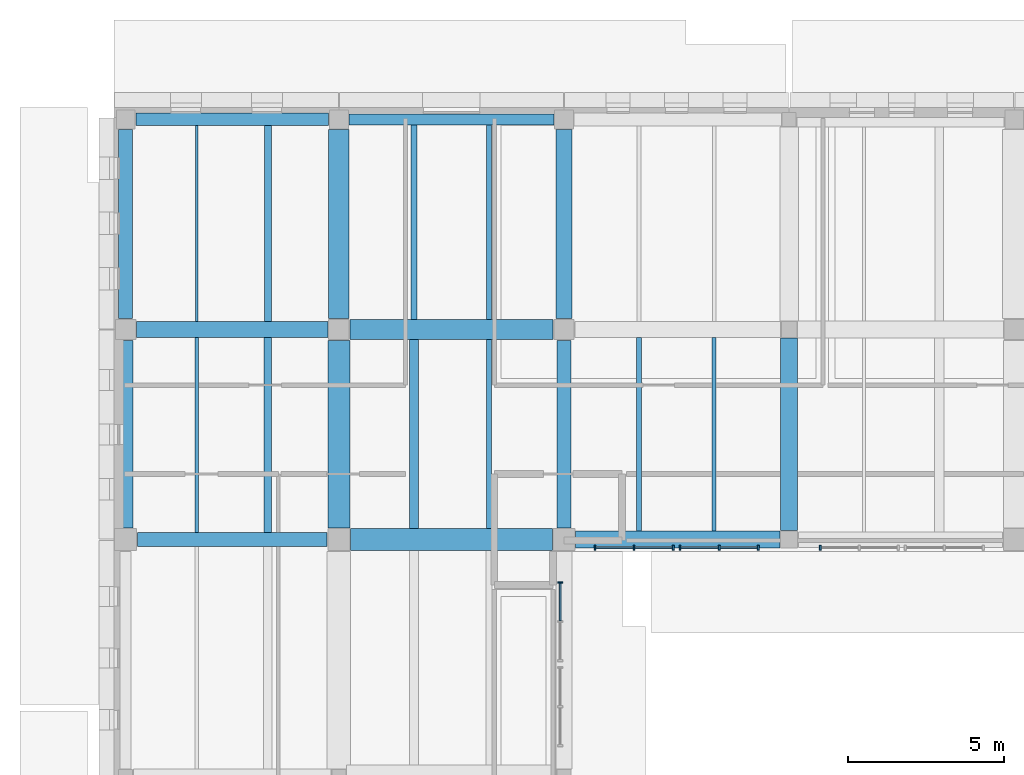
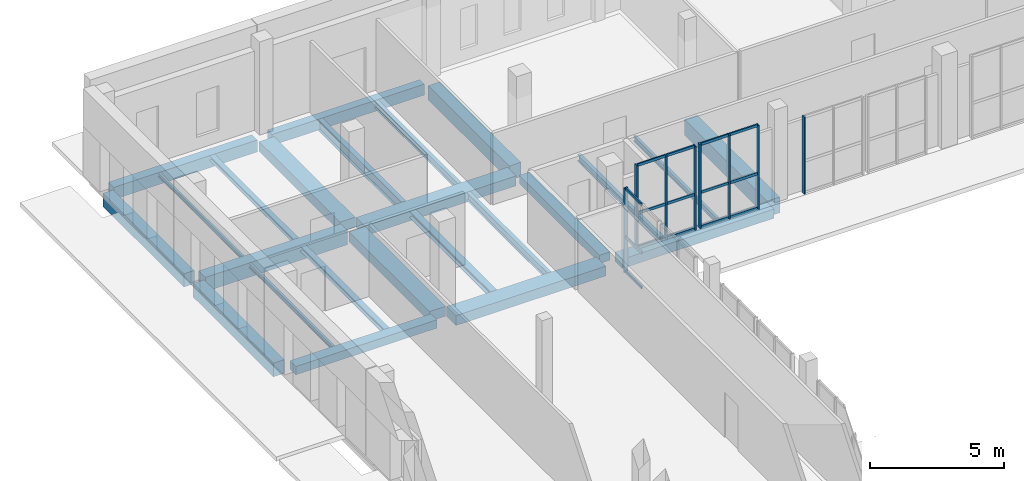
# One storey, part 23 of 77: 24 beams, 23 members, 4 elements without a shape of their own.
"""IFC4 building model written with IfcOpenShell, lengths in metres."""

from ifc_helpers import new_model, si_unit, direction, frame, origin, origin_2d, place, context, subcontext, project, spatial, rectangle, i_section, extrude, material, layer, layer_set, material_profile, profile_set, type_object, element, aggregate, save


model = new_model("IFC4")

# Units and contexts
model_context = context("Model", 3, precision=1e-05, world=origin(), true_north=direction((0.0, 1.0)))
body_context = subcontext(model_context, "Body", "Model", "MODEL_VIEW")
ifc_project = project(units=[si_unit("LENGTHUNIT", "METRE"), si_unit("AREAUNIT", "SQUARE_METRE"), si_unit("VOLUMEUNIT", "CUBIC_METRE"), si_unit("PLANEANGLEUNIT", "RADIAN"), si_unit("MASSUNIT", "GRAM", prefix="KILO")], contexts=[model_context])

# Site, building, storey
site_placement = place(None, origin())
site = spatial("IfcSite", under=ifc_project, at=site_placement, CompositionType="ELEMENT")
building_placement = place(site_placement, origin())
building = spatial("IfcBuilding", under=site, at=building_placement, Name="Vardoun Plaza Health Centre", CompositionType="ELEMENT")
storey_placement = place(building_placement, origin())
storey = spatial("IfcBuildingStorey", under=building, at=storey_placement, Name="L00", CompositionType="ELEMENT", Elevation=0.0)

# Beams
ifc_material_1 = material(Name="Concrete C35/45", Category="concrete")
ifc_material_profile_1 = material_profile(ifc_material_1, rectangle(XDim=0.35009765625, YDim=0.5, at=origin_2d()), Name="RC-BM 350x500")
ifc_profile_set_1 = profile_set([ifc_material_profile_1], Name="Concrete C35/45")
beam_type_1 = type_object("IfcBeamType", Name="B-08", PredefinedType="SPANDREL", material=ifc_profile_set_1)
beam_1_placement = place(storey_placement, frame((12.02490234375, 114.919921875, -0.514892578125), z_axis=(1.0, 0.0, 0.0), x_axis=(0.0, 1.0, 0.0)))
element("IfcBeam", 1, at=beam_1_placement, inside=storey, type_object=beam_type_1, Name="V3 L00 Beam B-V3-L00-X12", PredefinedType="SPANDREL", context=body_context, shape_type="SweptSolid", body=[
    extrude(rectangle(XDim=0.35009765625, YDim=0.5, at=origin_2d()), origin(), (0.0, 0.0, 1.0), 6.550048828125),
])
ifc_material_2 = material(Name="Concrete C35/45", Category="concrete")
ifc_material_profile_2 = material_profile(ifc_material_2, rectangle(XDim=0.39990234375, YDim=0.550048828125, at=origin_2d()), Name="RC-BM 400x550")
ifc_profile_set_2 = profile_set([ifc_material_profile_2], Name="Concrete C35/45")
beam_type_2 = type_object("IfcBeamType", Name="B-09", PredefinedType="SPANDREL", material=ifc_profile_set_2)
beam_2_placement = place(storey_placement, frame((5.205078125, 114.919921875, -0.5400390625), z_axis=(1.0, 0.0, 0.0), x_axis=(0.0, 1.0, 0.0)))
element("IfcBeam", 2, at=beam_2_placement, inside=storey, type_object=beam_type_2, Name="V3 L00 Beam B-V3-L00-X06", PredefinedType="SPANDREL", context=body_context, shape_type="SweptSolid", body=[
    extrude(rectangle(XDim=0.39990234375, YDim=0.550048828125, at=origin_2d()), origin(), (0.0, 0.0, 1.0), 6.169921875),
])
ifc_material_3 = material(Name="Concrete C35/45", Category="concrete")
ifc_material_profile_3 = material_profile(ifc_material_3, rectangle(XDim=0.449951171875, YDim=0.3798828125, at=origin_2d()), Name="RC-BM 450x380")
ifc_profile_set_3 = profile_set([ifc_material_profile_3], Name="Concrete C35/45")
beam_type_3 = type_object("IfcBeamType", Name="B-01", PredefinedType="BEAM", material=ifc_profile_set_3)
beam_3_placement = place(storey_placement, frame((5.2548828125, 101.47998046875, -0.455078125), z_axis=(1.0, 0.0, 0.0), x_axis=(0.0, 1.0, 0.0)))
element("IfcBeam", 3, at=beam_3_placement, inside=storey, type_object=beam_type_3, Name="V3 L00 Beam B-V3-L00-X04", PredefinedType="BEAM", context=body_context, shape_type="SweptSolid", body=[
    extrude(rectangle(XDim=0.449951171875, YDim=0.3798828125, at=origin_2d()), origin(), (0.0, 0.0, 1.0), 6.070068359375),
])
beam_4_placement = place(storey_placement, frame((18.89990234375, 101.85498046875, -0.455078125), z_axis=(0.0, 1.0, 0.0), x_axis=(-1.0, 0.0, 0.0)))
element("IfcBeam", 4, at=beam_4_placement, inside=storey, type_object=beam_type_3, Name="V3 L00 Beam B-V3-L00-Y37", PredefinedType="BEAM", context=body_context, shape_type="SweptSolid", body=[
    extrude(rectangle(XDim=0.449951171875, YDim=0.3798828125, at=origin_2d()), origin(), (0.0, 0.0, 1.0), 5.9951171875),
])
ifc_material_4 = material(Name="Concrete C35/45", Category="concrete")
ifc_material_profile_4 = material_profile(ifc_material_4, rectangle(XDim=0.449951171875, YDim=0.60009765625, at=origin_2d()), Name="RC-BM 450x600")
ifc_profile_set_4 = profile_set([ifc_material_profile_4], Name="Concrete C35/45")
beam_type_4 = type_object("IfcBeamType", Name="B-11", PredefinedType="SPANDREL", material=ifc_profile_set_4)
beam_5_placement = place(storey_placement, frame((4.8798828125, 108.550048828125, -0.56494140625), z_axis=(0.0, 1.0, 0.0), x_axis=(-1.0, 0.0, 0.0)))
element("IfcBeam", 5, at=beam_5_placement, inside=storey, type_object=beam_type_4, Name="V3 L00 Beam B-V3-L00-Y29", PredefinedType="SPANDREL", context=body_context, shape_type="SweptSolid", body=[
    extrude(rectangle(XDim=0.449951171875, YDim=0.60009765625, at=origin_2d()), origin(), (0.0, 0.0, 1.0), 6.044921875),
])
ifc_material_5 = material(Name="Concrete C35/45", Category="concrete")
ifc_material_profile_5 = material_profile(ifc_material_5, rectangle(XDim=0.47998046875, YDim=0.6201171875, at=origin_2d()), Name="RC-BM 480x620")
ifc_profile_set_5 = profile_set([ifc_material_profile_5], Name="Concrete C35/45")
beam_type_5 = type_object("IfcBeamType", Name="B-12", PredefinedType="SPANDREL", material=ifc_profile_set_5)
beam_6_placement = place(storey_placement, frame((4.8798828125, 101.85498046875, -0.574951171875), z_axis=(0.0, 1.0, 0.0), x_axis=(-1.0, 0.0, 0.0)))
element("IfcBeam", 6, at=beam_6_placement, inside=storey, type_object=beam_type_5, Name="V3 L00 Beam B-V3-L00-Y28", PredefinedType="SPANDREL", context=body_context, shape_type="SweptSolid", body=[
    extrude(rectangle(XDim=0.47998046875, YDim=0.6201171875, at=origin_2d()), origin(), (0.0, 0.0, 1.0), 5.9951171875),
])
ifc_material_6 = material(Name="Concrete C40/50", Category="concrete")
ifc_material_profile_6 = material_profile(ifc_material_6, rectangle(XDim=0.5, YDim=0.64990234375, at=origin_2d()), Name="RC-BM 500x650")
ifc_profile_set_6 = profile_set([ifc_material_profile_6], Name="Concrete C40/50")
beam_type_6 = type_object("IfcBeamType", Name="B-13", PredefinedType="BEAM", material=ifc_profile_set_6)
beam_7_placement = place(storey_placement, frame((5.22998046875, 108.199951171875, -0.590087890625), z_axis=(1.0, 0.0, 0.0), x_axis=(0.0, 1.0, 0.0)))
element("IfcBeam", 7, at=beam_7_placement, inside=storey, type_object=beam_type_6, Name="V3 L00 Beam B-V3-L00-X05", PredefinedType="BEAM", context=body_context, shape_type="SweptSolid", body=[
    extrude(rectangle(XDim=0.5, YDim=0.64990234375, at=origin_2d()), origin(), (0.0, 0.0, 1.0), 6.1201171875),
])
beam_8_placement = place(storey_placement, frame((18.89990234375, 108.550048828125, -0.590087890625), z_axis=(0.0, 1.0, 0.0), x_axis=(-1.0, 0.0, 0.0)))
element("IfcBeam", 8, at=beam_8_placement, inside=storey, type_object=beam_type_6, Name="V3 L00 Beam B-V3-L00-Y38", PredefinedType="BEAM", context=body_context, shape_type="SweptSolid", body=[
    extrude(rectangle(XDim=0.5, YDim=0.64990234375, at=origin_2d()), origin(), (0.0, 0.0, 1.0), 6.044921875),
])
ifc_material_7 = material(Name="Concrete C35/45", Category="concrete")
ifc_material_profile_7 = material_profile(ifc_material_7, rectangle(XDim=0.550048828125, YDim=0.419921875, at=origin_2d()), Name="RC-BM 550x420")
ifc_profile_set_7 = profile_set([ifc_material_profile_7], Name="Concrete C35/45")
beam_type_7 = type_object("IfcBeamType", Name="B-03", PredefinedType="BEAM", material=ifc_profile_set_7)
beam_9_placement = place(storey_placement, frame((19.27490234375, 101.47998046875, -0.47509765625), z_axis=(1.0, 0.0, 0.0), x_axis=(0.0, 1.0, 0.0)))
element("IfcBeam", 9, at=beam_9_placement, inside=storey, type_object=beam_type_7, Name="V3 L00 Beam B-V3-L00-X13", PredefinedType="BEAM", context=body_context, shape_type="SweptSolid", body=[
    extrude(rectangle(XDim=0.550048828125, YDim=0.419921875, at=origin_2d()), origin(), (0.0, 0.0, 1.0), 6.525146484375),
])
ifc_material_8 = material(Name="Concrete C40/50", Category="concrete")
ifc_material_profile_8 = material_profile(ifc_material_8, rectangle(XDim=0.550048828125, YDim=0.719970703125, at=origin_2d()), Name="RC-BM 550x720")
ifc_profile_set_8 = profile_set([ifc_material_profile_8], Name="Concrete C40/50")
beam_type_8 = type_object("IfcBeamType", Name="B-14", PredefinedType="BEAM", material=ifc_profile_set_8)
beam_10_placement = place(storey_placement, frame((26.10009765625, 101.780029296875, -0.625), z_axis=(0.0, 1.0, 0.0), x_axis=(-1.0, 0.0, 0.0)))
element("IfcBeam", 10, at=beam_10_placement, inside=storey, type_object=beam_type_8, Name="V3 L00 Beam B-V3-L00-Y39", PredefinedType="BEAM", context=body_context, shape_type="SweptSolid", body=[
    extrude(rectangle(XDim=0.550048828125, YDim=0.719970703125, at=origin_2d()), origin(), (0.0, 0.0, 1.0), 6.14501953125),
])
ifc_material_9 = material(Name="Concrete C35/45", Category="concrete")
ifc_material_profile_9 = material_profile(ifc_material_9, rectangle(XDim=0.64990234375, YDim=0.449951171875, at=origin_2d()), Name="RC-BM 650x450")
ifc_profile_set_9 = profile_set([ifc_material_profile_9], Name="Concrete C35/45")
beam_type_9 = type_object("IfcBeamType", Name="B-05", PredefinedType="BEAM", material=ifc_profile_set_9)
beam_11_placement = place(storey_placement, frame((12.050048828125, 108.199951171875, -0.489990234375), z_axis=(1.0, 0.0, 0.0), x_axis=(0.0, 1.0, 0.0)))
element("IfcBeam", 11, at=beam_11_placement, inside=storey, type_object=beam_type_9, Name="V3 L00 Beam B-V3-L00-X11", PredefinedType="BEAM", context=body_context, shape_type="SweptSolid", body=[
    extrude(rectangle(XDim=0.64990234375, YDim=0.449951171875, at=origin_2d()), origin(), (0.0, 0.0, 1.0), 6.5),
])
beam_12_placement = place(storey_placement, frame((11.699951171875, 108.550048828125, -0.489990234375), z_axis=(0.0, 1.0, 0.0), x_axis=(-1.0, 0.0, 0.0)))
element("IfcBeam", 12, at=beam_12_placement, inside=storey, type_object=beam_type_9, Name="V3 L00 Beam B-V3-L00-Y33", PredefinedType="BEAM", context=body_context, shape_type="SweptSolid", body=[
    extrude(rectangle(XDim=0.64990234375, YDim=0.449951171875, at=origin_2d()), origin(), (0.0, 0.0, 1.0), 6.044921875),
])
ifc_material_10 = material(Name="Concrete C35/45", Category="concrete")
ifc_material_profile_10 = material_profile(ifc_material_10, rectangle(XDim=0.699951171875, YDim=0.449951171875, at=origin_2d()), Name="RC-BM 700x450")
ifc_profile_set_10 = profile_set([ifc_material_profile_10], Name="Concrete C35/45")
beam_type_10 = type_object("IfcBeamType", Name="B-06", PredefinedType="BEAM", material=ifc_profile_set_10)
beam_13_placement = place(storey_placement, frame((12.074951171875, 101.47998046875, -0.489990234375), z_axis=(1.0, 0.0, 0.0), x_axis=(0.0, 1.0, 0.0)))
element("IfcBeam", 13, at=beam_13_placement, inside=storey, type_object=beam_type_10, Name="V3 L00 Beam B-V3-L00-X10", PredefinedType="BEAM", context=body_context, shape_type="SweptSolid", body=[
    extrude(rectangle(XDim=0.699951171875, YDim=0.449951171875, at=origin_2d()), origin(), (0.0, 0.0, 1.0), 6.449951171875),
])
beam_14_placement = place(storey_placement, frame((11.699951171875, 101.85498046875, -0.489990234375), z_axis=(0.0, 1.0, 0.0), x_axis=(-1.0, 0.0, 0.0)))
element("IfcBeam", 14, at=beam_14_placement, inside=storey, type_object=beam_type_10, Name="V3 L00 Beam B-V3-L00-Y32", PredefinedType="BEAM", context=body_context, shape_type="SweptSolid", body=[
    extrude(rectangle(XDim=0.699951171875, YDim=0.449951171875, at=origin_2d()), origin(), (0.0, 0.0, 1.0), 5.9951171875),
])
ifc_material_11 = material(Name="Steel S355J2", Category="steel")
ifc_material_profile_11 = material_profile(ifc_material_11, i_section(OverallWidth=0.219970703125, OverallDepth=0.2099609375, WebThickness=0.007080078125, FlangeThickness=0.010986328125, FilletRadius=0.01806640625, at=origin_2d()), Name="HEA 220")
ifc_profile_set_11 = profile_set([ifc_material_profile_11], Name="Steel S355J2")
beam_type_11 = type_object("IfcBeamType", Name="SB-08", PredefinedType="BEAM", material=ifc_profile_set_11)
beam_15_placement = place(storey_placement, frame((9.427001953125, 108.449951171875, -0.3701171875), z_axis=(0.0, 1.0, 0.0), x_axis=(-1.0, 0.0, 0.0)))
element("IfcBeam", 15, at=beam_15_placement, inside=storey, type_object=beam_type_11, Name="V3 L00 Secondary Floor Beam SJ-V3-L00-08", PredefinedType="BEAM", context=body_context, shape_type="SweptSolid", body=[
    extrude(i_section(OverallWidth=0.219970703125, OverallDepth=0.2099609375, WebThickness=0.007080078125, FlangeThickness=0.010986328125, FilletRadius=0.01806640625, at=origin_2d()), origin(), (0.0, 0.0, 1.0), 6.27001953125),
])
ifc_material_12 = material(Name="Steel S355J2", Category="steel")
ifc_material_profile_12 = material_profile(ifc_material_12, i_section(OverallWidth=0.239990234375, OverallDepth=0.22998046875, WebThickness=0.007568359375, FlangeThickness=0.011962890625, FilletRadius=0.02099609375, at=origin_2d()), Name="HEA 240")
ifc_profile_set_12 = profile_set([ifc_material_profile_12], Name="Steel S355J2")
beam_type_12 = type_object("IfcBeamType", Name="SB-07", PredefinedType="BEAM", material=ifc_profile_set_12)
beam_16_placement = place(storey_placement, frame((9.427001953125, 101.705078125, -0.3798828125), z_axis=(0.0, 1.0, 0.0), x_axis=(-1.0, 0.0, 0.0)))
element("IfcBeam", 16, at=beam_16_placement, inside=storey, type_object=beam_type_12, Name="V3 L00 Secondary Floor Beam SJ-V3-L00-07", PredefinedType="BEAM", context=body_context, shape_type="SweptSolid", body=[
    extrude(i_section(OverallWidth=0.239990234375, OverallDepth=0.22998046875, WebThickness=0.007568359375, FlangeThickness=0.011962890625, FilletRadius=0.02099609375, at=origin_2d()), origin(), (0.0, 0.0, 1.0), 6.244873046875),
])
ifc_material_13 = material(Name="Steel S355J2", Category="steel")
ifc_material_profile_13 = material_profile(ifc_material_13, i_section(OverallWidth=0.280029296875, OverallDepth=0.280029296875, WebThickness=0.010498046875, FlangeThickness=0.01806640625, FilletRadius=0.02392578125, at=origin_2d()), Name="HEB 280")
ifc_profile_set_13 = profile_set([ifc_material_profile_13], Name="Steel S355J2")
beam_type_13 = type_object("IfcBeamType", Name="SB-02", PredefinedType="BEAM", material=ifc_profile_set_13)
beam_17_placement = place(storey_placement, frame((14.099853515625, 101.830078125, -0.405029296875), z_axis=(0.0, 1.0, 0.0), x_axis=(-1.0, 0.0, 0.0)))
element("IfcBeam", 17, at=beam_17_placement, inside=storey, type_object=beam_type_13, Name="V3 L00 Secondary Floor Beam SJ-V3-L00-11", PredefinedType="BEAM", context=body_context, shape_type="SweptSolid", body=[
    extrude(i_section(OverallWidth=0.280029296875, OverallDepth=0.280029296875, WebThickness=0.010498046875, FlangeThickness=0.01806640625, FilletRadius=0.02392578125, at=origin_2d()), origin(), (0.0, 0.0, 1.0), 6.044921875),
])
ifc_material_14 = material(Name="Steel S355J2", Category="steel")
ifc_material_profile_14 = material_profile(ifc_material_14, i_section(OverallWidth=0.091064453125, OverallDepth=0.179931640625, WebThickness=0.00537109375, FlangeThickness=0.008056640625, FilletRadius=0.009033203125, at=origin_2d()), Name="IPE 180")
ifc_profile_set_14 = profile_set([ifc_material_profile_14], Name="Steel S355J2")
beam_type_14 = type_object("IfcBeamType", Name="SB-20", PredefinedType="SPANDREL", material=ifc_profile_set_14)
beam_18_placement = place(storey_placement, frame((7.153076171875, 108.449951171875, -0.35498046875), z_axis=(0.0, 1.0, 0.0), x_axis=(-1.0, 0.0, 0.0)))
element("IfcBeam", 18, at=beam_18_placement, inside=storey, type_object=beam_type_14, Name="V3 L00 Secondary Floor Beam SJ-V3-L00-04", PredefinedType="SPANDREL", context=body_context, shape_type="SweptSolid", body=[
    extrude(i_section(OverallWidth=0.091064453125, OverallDepth=0.179931640625, WebThickness=0.00537109375, FlangeThickness=0.008056640625, FilletRadius=0.009033203125, at=origin_2d()), origin(), (0.0, 0.0, 1.0), 6.27001953125),
])
ifc_material_15 = material(Name="Steel S355J2", Category="steel")
ifc_material_profile_15 = material_profile(ifc_material_15, i_section(OverallWidth=0.10009765625, OverallDepth=0.199951171875, WebThickness=0.005615234375, FlangeThickness=0.008544921875, FilletRadius=0.011962890625, at=origin_2d()), Name="IPE 200")
ifc_profile_set_15 = profile_set([ifc_material_profile_15], Name="Steel S355J2")
beam_type_15 = type_object("IfcBeamType", Name="SB-19", PredefinedType="SPANDREL", material=ifc_profile_set_15)
beam_19_placement = place(storey_placement, frame((7.153076171875, 101.705078125, -0.364990234375), z_axis=(0.0, 1.0, 0.0), x_axis=(-1.0, 0.0, 0.0)))
element("IfcBeam", 19, at=beam_19_placement, inside=storey, type_object=beam_type_15, Name="V3 L00 Secondary Floor Beam SJ-V3-L00-03", PredefinedType="SPANDREL", context=body_context, shape_type="SweptSolid", body=[
    extrude(i_section(OverallWidth=0.10009765625, OverallDepth=0.199951171875, WebThickness=0.005615234375, FlangeThickness=0.008544921875, FilletRadius=0.011962890625, at=origin_2d()), origin(), (0.0, 0.0, 1.0), 6.244873046875),
])
ifc_material_16 = material(Name="Steel S355J2", Category="steel")
ifc_material_profile_16 = material_profile(ifc_material_16, i_section(OverallWidth=0.1201171875, OverallDepth=0.239990234375, WebThickness=0.006103515625, FlangeThickness=0.009765625, FilletRadius=0.014892578125, at=origin_2d()), Name="IPE 240")
ifc_profile_set_16 = profile_set([ifc_material_profile_16], Name="Steel S355J2")
beam_type_16 = type_object("IfcBeamType", Name="SB-17", PredefinedType="JOIST", material=ifc_profile_set_16)
beam_20_placement = place(storey_placement, frame((23.7001953125, 101.7548828125, -0.385009765625), z_axis=(0.0, 1.0, 0.0), x_axis=(-1.0, 0.0, 0.0)))
element("IfcBeam", 20, at=beam_20_placement, inside=storey, type_object=beam_type_16, Name="V3 L00 Secondary Floor Beam SJ-V3-L00-19", PredefinedType="JOIST", context=body_context, shape_type="SweptSolid", body=[
    extrude(i_section(OverallWidth=0.1201171875, OverallDepth=0.239990234375, WebThickness=0.006103515625, FlangeThickness=0.009765625, FilletRadius=0.014892578125, at=origin_2d()), origin(), (0.0, 0.0, 1.0), 6.195068359375),
])
ifc_material_17 = material(Name="Steel S355J2", Category="steel")
ifc_material_profile_17 = material_profile(ifc_material_17, i_section(OverallWidth=0.14990234375, OverallDepth=0.300048828125, WebThickness=0.007080078125, FlangeThickness=0.0107421875, FilletRadius=0.014892578125, at=origin_2d()), Name="IPE 300")
ifc_profile_set_17 = profile_set([ifc_material_profile_17], Name="Steel S355J2")
beam_type_17 = type_object("IfcBeamType", Name="SB-15", PredefinedType="JOIST", material=ifc_profile_set_17)
beam_21_placement = place(storey_placement, frame((21.2998046875, 101.7548828125, -0.4150390625), z_axis=(0.0, 1.0, 0.0), x_axis=(-1.0, 0.0, 0.0)))
element("IfcBeam", 21, at=beam_21_placement, inside=storey, type_object=beam_type_17, Name="V3 L00 Secondary Floor Beam SJ-V3-L00-17", PredefinedType="JOIST", context=body_context, shape_type="SweptSolid", body=[
    extrude(i_section(OverallWidth=0.14990234375, OverallDepth=0.300048828125, WebThickness=0.007080078125, FlangeThickness=0.0107421875, FilletRadius=0.014892578125, at=origin_2d()), origin(), (0.0, 0.0, 1.0), 6.195068359375),
])
ifc_material_18 = material(Name="Steel S355J2", Category="steel")
ifc_material_profile_18 = material_profile(ifc_material_18, i_section(OverallWidth=0.159912109375, OverallDepth=0.330078125, WebThickness=0.007568359375, FlangeThickness=0.011474609375, FilletRadius=0.01806640625, at=origin_2d()), Name="IPE 330")
ifc_profile_set_18 = profile_set([ifc_material_profile_18], Name="Steel S355J2")
beam_type_18 = type_object("IfcBeamType", Name="SB-14", PredefinedType="JOIST", material=ifc_profile_set_18)
beam_22_placement = place(storey_placement, frame((16.500244140625, 108.525146484375, -0.429931640625), z_axis=(0.0, 1.0, 0.0), x_axis=(-1.0, 0.0, 0.0)))
element("IfcBeam", 22, at=beam_22_placement, inside=storey, type_object=beam_type_18, Name="V3 L00 Secondary Floor Beam SJ-V3-L00-16", PredefinedType="JOIST", context=body_context, shape_type="SweptSolid", body=[
    extrude(i_section(OverallWidth=0.159912109375, OverallDepth=0.330078125, WebThickness=0.007568359375, FlangeThickness=0.011474609375, FilletRadius=0.01806640625, at=origin_2d()), origin(), (0.0, 0.0, 1.0), 6.219970703125),
])
ifc_material_19 = material(Name="Steel S355J2", Category="steel")
ifc_material_profile_19 = material_profile(ifc_material_19, i_section(OverallWidth=0.169921875, OverallDepth=0.360107421875, WebThickness=0.008056640625, FlangeThickness=0.0126953125, FilletRadius=0.01806640625, at=origin_2d()), Name="IPE 360")
ifc_profile_set_19 = profile_set([ifc_material_profile_19], Name="Steel S355J2")
beam_type_19 = type_object("IfcBeamType", Name="SB-13", PredefinedType="JOIST", material=ifc_profile_set_19)
beam_23_placement = place(storey_placement, frame((16.500244140625, 101.830078125, -0.445068359375), z_axis=(0.0, 1.0, 0.0), x_axis=(-1.0, 0.0, 0.0)))
element("IfcBeam", 23, at=beam_23_placement, inside=storey, type_object=beam_type_19, Name="V3 L00 Secondary Floor Beam SJ-V3-L00-15", PredefinedType="JOIST", context=body_context, shape_type="SweptSolid", body=[
    extrude(i_section(OverallWidth=0.169921875, OverallDepth=0.360107421875, WebThickness=0.008056640625, FlangeThickness=0.0126953125, FilletRadius=0.01806640625, at=origin_2d()), origin(), (0.0, 0.0, 1.0), 6.044921875),
])
ifc_material_20 = material(Name="Steel S355J2", Category="steel")
ifc_material_profile_20 = material_profile(ifc_material_20, i_section(OverallWidth=0.199951171875, OverallDepth=0.5, WebThickness=0.01025390625, FlangeThickness=0.01611328125, FilletRadius=0.02099609375, at=origin_2d()), Name="IPE 500")
ifc_profile_set_20 = profile_set([ifc_material_profile_20], Name="Steel S355J2")
beam_type_20 = type_object("IfcBeamType", Name="SB-10", PredefinedType="BEAM", material=ifc_profile_set_20)
beam_24_placement = place(storey_placement, frame((14.099853515625, 108.525146484375, -0.514892578125), z_axis=(0.0, 1.0, 0.0), x_axis=(-1.0, 0.0, 0.0)))
element("IfcBeam", 24, at=beam_24_placement, inside=storey, type_object=beam_type_20, Name="V3 L00 Secondary Floor Beam SJ-V3-L00-12", PredefinedType="BEAM", context=body_context, shape_type="SweptSolid", body=[
    extrude(i_section(OverallWidth=0.199951171875, OverallDepth=0.5, WebThickness=0.01025390625, FlangeThickness=0.01611328125, FilletRadius=0.02099609375, at=origin_2d()), origin(), (0.0, 0.0, 1.0), 6.219970703125),
])

# Curtain wall, member
ifc_material_21 = material(Name="Aluminium Alloy EN AW-6063-T6 and Low-E Glass", Category="aluminium")
ifc_layer = layer(ifc_material_21, 0.159912109375)
ifc_layer_set = layer_set([ifc_layer], Name="Aluminium Alloy EN AW-6063-T6 and Low-E Glass")
curtain_wall_type = type_object("IfcCurtainWallType", Name="CW-02", PredefinedType="USERDEFINED", material=ifc_layer_set)
curtain_wall_1_placement = place(storey_placement, origin())
curtain_wall_1 = element("IfcCurtainWall", 25, at=curtain_wall_1_placement, inside=storey, type_object=curtain_wall_type, Name="Curtain Wall CW-V3-050", ObjectType="COURTYARD_CURTAIN_WALL", PredefinedType="USERDEFINED")
ifc_material_22 = material(Name="Aluminium Alloy EN AW-6063-T6", Category="aluminium")
ifc_material_profile_21 = material_profile(ifc_material_22, rectangle(XDim=0.159912109375, YDim=0.06005859375, at=origin_2d()), Name="CWM 60x160")
ifc_profile_set_21 = profile_set([ifc_material_profile_21], Name="Aluminium Alloy EN AW-6063-T6")
member_type_1 = type_object("IfcMemberType", Name="CW-M1", PredefinedType="MULLION", material=ifc_profile_set_21)
member_1_placement = place(storey_placement, frame((27.090087890625, 101.219970703125, 0.0), z_axis=(0.0, 0.0, 1.0), x_axis=(0.0, -1.0, 0.0)))
member_1 = element("IfcMember", 26, at=member_1_placement, type_object=member_type_1, Name="CW-V3-050 mullion 3", PredefinedType="MULLION", context=body_context, shape_type="SweptSolid", body=[
    extrude(rectangle(XDim=0.159912109375, YDim=0.06005859375, at=origin_2d()), origin(), (0.0, 0.0, 1.0), 3.5),
])
aggregate(curtain_wall_1, [member_1])

# Curtain wall, members
curtain_wall_2_placement = place(storey_placement, origin())
curtain_wall_2 = element("IfcCurtainWall", 27, at=curtain_wall_2_placement, inside=storey, type_object=curtain_wall_type, Name="Curtain Wall CW-V3-051", ObjectType="COURTYARD_CURTAIN_WALL", PredefinedType="USERDEFINED")
member_2_placement = place(storey_placement, frame((25.110107421875, 101.219970703125, 0.0), z_axis=(0.0, 0.0, 1.0), x_axis=(0.0, -1.0, 0.0)))
member_2 = element("IfcMember", 28, at=member_2_placement, type_object=member_type_1, Name="CW-V3-051 mullion 1", PredefinedType="MULLION", context=body_context, shape_type="SweptSolid", body=[
    extrude(rectangle(XDim=0.159912109375, YDim=0.06005859375, at=origin_2d()), origin(), (0.0, 0.0, 1.0), 3.820068359375),
])
member_3_placement = place(storey_placement, frame((23.860107421875, 101.219970703125, 0.0), z_axis=(0.0, 0.0, 1.0), x_axis=(0.0, -1.0, 0.0)))
member_3 = element("IfcMember", 29, at=member_3_placement, type_object=member_type_1, Name="CW-V3-051 mullion 2", PredefinedType="MULLION", context=body_context, shape_type="SweptSolid", body=[
    extrude(rectangle(XDim=0.159912109375, YDim=0.06005859375, at=origin_2d()), origin(), (0.0, 0.0, 1.0), 3.820068359375),
])
member_4_placement = place(storey_placement, frame((22.610107421875, 101.219970703125, 0.0), z_axis=(0.0, 0.0, 1.0), x_axis=(0.0, -1.0, 0.0)))
member_4 = element("IfcMember", 30, at=member_4_placement, type_object=member_type_1, Name="CW-V3-051 mullion 3", PredefinedType="MULLION", context=body_context, shape_type="SweptSolid", body=[
    extrude(rectangle(XDim=0.159912109375, YDim=0.06005859375, at=origin_2d()), origin(), (0.0, 0.0, 1.0), 3.820068359375),
])

curtain_wall_3_placement = place(storey_placement, origin())
curtain_wall_3 = element("IfcCurtainWall", 31, at=curtain_wall_3_placement, inside=storey, type_object=curtain_wall_type, Name="Curtain Wall CW-V3-052", ObjectType="COURTYARD_CURTAIN_WALL", PredefinedType="USERDEFINED")
member_5_placement = place(storey_placement, frame((22.389892578125, 101.219970703125, 0.0), z_axis=(0.0, 0.0, 1.0), x_axis=(0.0, -1.0, 0.0)))
member_5 = element("IfcMember", 32, at=member_5_placement, type_object=member_type_1, Name="CW-V3-052 mullion 1", PredefinedType="MULLION", context=body_context, shape_type="SweptSolid", body=[
    extrude(rectangle(XDim=0.159912109375, YDim=0.06005859375, at=origin_2d()), origin(), (0.0, 0.0, 1.0), 3.820068359375),
])
member_6_placement = place(storey_placement, frame((21.139892578125, 101.219970703125, 0.0), z_axis=(0.0, 0.0, 1.0), x_axis=(0.0, -1.0, 0.0)))
member_6 = element("IfcMember", 33, at=member_6_placement, type_object=member_type_1, Name="CW-V3-052 mullion 2", PredefinedType="MULLION", context=body_context, shape_type="SweptSolid", body=[
    extrude(rectangle(XDim=0.159912109375, YDim=0.06005859375, at=origin_2d()), origin(), (0.0, 0.0, 1.0), 3.820068359375),
])
member_7_placement = place(storey_placement, frame((19.889892578125, 101.219970703125, 0.0), z_axis=(0.0, 0.0, 1.0), x_axis=(0.0, -1.0, 0.0)))
member_7 = element("IfcMember", 34, at=member_7_placement, type_object=member_type_1, Name="CW-V3-052 mullion 3", PredefinedType="MULLION", context=body_context, shape_type="SweptSolid", body=[
    extrude(rectangle(XDim=0.159912109375, YDim=0.06005859375, at=origin_2d()), origin(), (0.0, 0.0, 1.0), 3.820068359375),
])

# Curtain wall, member
curtain_wall_4_placement = place(storey_placement, origin())
curtain_wall_4 = element("IfcCurtainWall", 35, at=curtain_wall_4_placement, inside=storey, type_object=curtain_wall_type, Name="Curtain Wall CW-V3-053", ObjectType="COURTYARD_CURTAIN_WALL", PredefinedType="USERDEFINED")
member_8_placement = place(storey_placement, frame((18.780029296875, 100.110107421875, 0.0), z_axis=(0.0, 0.0, 1.0), x_axis=(1.0, 0.0, 0.0)))
member_8 = element("IfcMember", 36, at=member_8_placement, type_object=member_type_1, Name="CW-V3-053 mullion 1", PredefinedType="MULLION", context=body_context, shape_type="SweptSolid", body=[
    extrude(rectangle(XDim=0.159912109375, YDim=0.06005859375, at=origin_2d()), origin(), (0.0, 0.0, 1.0), 3.840087890625),
])

# Member
ifc_material_23 = material(Name="Aluminium Alloy EN AW-6063-T6", Category="aluminium")
ifc_material_profile_22 = material_profile(ifc_material_23, rectangle(XDim=0.06005859375, YDim=0.1201171875, at=origin_2d()), Name="CWT 60x120")
ifc_profile_set_22 = profile_set([ifc_material_profile_22], Name="Aluminium Alloy EN AW-6063-T6")
member_type_2 = type_object("IfcMemberType", Name="CW-T1", PredefinedType="USERDEFINED", material=ifc_profile_set_22)
member_9_placement = place(storey_placement, frame((25.080078125, 101.219970703125, 0.030029296875), z_axis=(-1.0, 0.0, 0.0), x_axis=(0.0, -1.0, 0.0)))
member_9 = element("IfcMember", 37, at=member_9_placement, type_object=member_type_2, Name="CW-V3-051 transom 1.1", ObjectType="TRANSOM", PredefinedType="USERDEFINED", context=body_context, shape_type="SweptSolid", body=[
    extrude(rectangle(XDim=0.06005859375, YDim=0.1201171875, at=origin_2d()), origin(), (0.0, 0.0, 1.0), 1.190185546875),
])

member_10_placement = place(storey_placement, frame((25.080078125, 101.219970703125, 1.6044921875), z_axis=(-1.0, 0.0, 0.0), x_axis=(0.0, -1.0, 0.0)))
member_10 = element("IfcMember", 38, at=member_10_placement, type_object=member_type_2, Name="CW-V3-051 transom 1.2", ObjectType="TRANSOM", PredefinedType="USERDEFINED", context=body_context, shape_type="SweptSolid", body=[
    extrude(rectangle(XDim=0.06005859375, YDim=0.1201171875, at=origin_2d()), origin(), (0.0, 0.0, 1.0), 1.190185546875),
])

member_11_placement = place(storey_placement, frame((25.080078125, 101.219970703125, 3.7900390625), z_axis=(-1.0, 0.0, 0.0), x_axis=(0.0, -1.0, 0.0)))
member_11 = element("IfcMember", 39, at=member_11_placement, type_object=member_type_2, Name="CW-V3-051 transom 1.3", ObjectType="TRANSOM", PredefinedType="USERDEFINED", context=body_context, shape_type="SweptSolid", body=[
    extrude(rectangle(XDim=0.06005859375, YDim=0.1201171875, at=origin_2d()), origin(), (0.0, 0.0, 1.0), 1.190185546875),
])

member_12_placement = place(storey_placement, frame((23.830078125, 101.219970703125, 0.030029296875), z_axis=(-1.0, 0.0, 0.0), x_axis=(0.0, -1.0, 0.0)))
member_12 = element("IfcMember", 40, at=member_12_placement, type_object=member_type_2, Name="CW-V3-051 transom 2.1", ObjectType="TRANSOM", PredefinedType="USERDEFINED", context=body_context, shape_type="SweptSolid", body=[
    extrude(rectangle(XDim=0.06005859375, YDim=0.1201171875, at=origin_2d()), origin(), (0.0, 0.0, 1.0), 1.190185546875),
])

member_13_placement = place(storey_placement, frame((23.830078125, 101.219970703125, 1.6044921875), z_axis=(-1.0, 0.0, 0.0), x_axis=(0.0, -1.0, 0.0)))
member_13 = element("IfcMember", 41, at=member_13_placement, type_object=member_type_2, Name="CW-V3-051 transom 2.2", ObjectType="TRANSOM", PredefinedType="USERDEFINED", context=body_context, shape_type="SweptSolid", body=[
    extrude(rectangle(XDim=0.06005859375, YDim=0.1201171875, at=origin_2d()), origin(), (0.0, 0.0, 1.0), 1.190185546875),
])

member_14_placement = place(storey_placement, frame((23.830078125, 101.219970703125, 3.7900390625), z_axis=(-1.0, 0.0, 0.0), x_axis=(0.0, -1.0, 0.0)))
member_14 = element("IfcMember", 42, at=member_14_placement, type_object=member_type_2, Name="CW-V3-051 transom 2.3", ObjectType="TRANSOM", PredefinedType="USERDEFINED", context=body_context, shape_type="SweptSolid", body=[
    extrude(rectangle(XDim=0.06005859375, YDim=0.1201171875, at=origin_2d()), origin(), (0.0, 0.0, 1.0), 1.190185546875),
])

aggregate(curtain_wall_2, [member_2, member_3, member_4, member_9, member_10, member_11, member_12, member_13, member_14])

member_15_placement = place(storey_placement, frame((22.360107421875, 101.219970703125, 0.030029296875), z_axis=(-1.0, 0.0, 0.0), x_axis=(0.0, -1.0, 0.0)))
member_15 = element("IfcMember", 43, at=member_15_placement, type_object=member_type_2, Name="CW-V3-052 transom 1.1", ObjectType="TRANSOM", PredefinedType="USERDEFINED", context=body_context, shape_type="SweptSolid", body=[
    extrude(rectangle(XDim=0.06005859375, YDim=0.1201171875, at=origin_2d()), origin(), (0.0, 0.0, 1.0), 1.190185546875),
])

member_16_placement = place(storey_placement, frame((22.360107421875, 101.219970703125, 1.6044921875), z_axis=(-1.0, 0.0, 0.0), x_axis=(0.0, -1.0, 0.0)))
member_16 = element("IfcMember", 44, at=member_16_placement, type_object=member_type_2, Name="CW-V3-052 transom 1.2", ObjectType="TRANSOM", PredefinedType="USERDEFINED", context=body_context, shape_type="SweptSolid", body=[
    extrude(rectangle(XDim=0.06005859375, YDim=0.1201171875, at=origin_2d()), origin(), (0.0, 0.0, 1.0), 1.190185546875),
])

member_17_placement = place(storey_placement, frame((22.360107421875, 101.219970703125, 3.7900390625), z_axis=(-1.0, 0.0, 0.0), x_axis=(0.0, -1.0, 0.0)))
member_17 = element("IfcMember", 45, at=member_17_placement, type_object=member_type_2, Name="CW-V3-052 transom 1.3", ObjectType="TRANSOM", PredefinedType="USERDEFINED", context=body_context, shape_type="SweptSolid", body=[
    extrude(rectangle(XDim=0.06005859375, YDim=0.1201171875, at=origin_2d()), origin(), (0.0, 0.0, 1.0), 1.190185546875),
])

member_18_placement = place(storey_placement, frame((21.110107421875, 101.219970703125, 0.030029296875), z_axis=(-1.0, 0.0, 0.0), x_axis=(0.0, -1.0, 0.0)))
member_18 = element("IfcMember", 46, at=member_18_placement, type_object=member_type_2, Name="CW-V3-052 transom 2.1", ObjectType="TRANSOM", PredefinedType="USERDEFINED", context=body_context, shape_type="SweptSolid", body=[
    extrude(rectangle(XDim=0.06005859375, YDim=0.1201171875, at=origin_2d()), origin(), (0.0, 0.0, 1.0), 1.190185546875),
])

member_19_placement = place(storey_placement, frame((21.110107421875, 101.219970703125, 1.6044921875), z_axis=(-1.0, 0.0, 0.0), x_axis=(0.0, -1.0, 0.0)))
member_19 = element("IfcMember", 47, at=member_19_placement, type_object=member_type_2, Name="CW-V3-052 transom 2.2", ObjectType="TRANSOM", PredefinedType="USERDEFINED", context=body_context, shape_type="SweptSolid", body=[
    extrude(rectangle(XDim=0.06005859375, YDim=0.1201171875, at=origin_2d()), origin(), (0.0, 0.0, 1.0), 1.190185546875),
])

member_20_placement = place(storey_placement, frame((21.110107421875, 101.219970703125, 3.7900390625), z_axis=(-1.0, 0.0, 0.0), x_axis=(0.0, -1.0, 0.0)))
member_20 = element("IfcMember", 48, at=member_20_placement, type_object=member_type_2, Name="CW-V3-052 transom 2.3", ObjectType="TRANSOM", PredefinedType="USERDEFINED", context=body_context, shape_type="SweptSolid", body=[
    extrude(rectangle(XDim=0.06005859375, YDim=0.1201171875, at=origin_2d()), origin(), (0.0, 0.0, 1.0), 1.190185546875),
])

aggregate(curtain_wall_3, [member_5, member_6, member_7, member_15, member_16, member_17, member_18, member_19, member_20])

member_21_placement = place(storey_placement, frame((18.780029296875, 100.080078125, 0.030029296875), z_axis=(0.0, -1.0, 0.0), x_axis=(1.0, 0.0, 0.0)))
member_21 = element("IfcMember", 49, at=member_21_placement, type_object=member_type_2, Name="CW-V3-053 transom 1.1", ObjectType="TRANSOM", PredefinedType="USERDEFINED", context=body_context, shape_type="SweptSolid", body=[
    extrude(rectangle(XDim=0.06005859375, YDim=0.1201171875, at=origin_2d()), origin(), (0.0, 0.0, 1.0), 1.190185546875),
])

member_22_placement = place(storey_placement, frame((18.780029296875, 100.080078125, 1.61279296875), z_axis=(0.0, -1.0, 0.0), x_axis=(1.0, 0.0, 0.0)))
member_22 = element("IfcMember", 50, at=member_22_placement, type_object=member_type_2, Name="CW-V3-053 transom 1.2", ObjectType="TRANSOM", PredefinedType="USERDEFINED", context=body_context, shape_type="SweptSolid", body=[
    extrude(rectangle(XDim=0.06005859375, YDim=0.1201171875, at=origin_2d()), origin(), (0.0, 0.0, 1.0), 1.190185546875),
])

member_23_placement = place(storey_placement, frame((18.780029296875, 100.080078125, 3.81005859375), z_axis=(0.0, -1.0, 0.0), x_axis=(1.0, 0.0, 0.0)))
member_23 = element("IfcMember", 51, at=member_23_placement, type_object=member_type_2, Name="CW-V3-053 transom 1.3", ObjectType="TRANSOM", PredefinedType="USERDEFINED", context=body_context, shape_type="SweptSolid", body=[
    extrude(rectangle(XDim=0.06005859375, YDim=0.1201171875, at=origin_2d()), origin(), (0.0, 0.0, 1.0), 1.190185546875),
])

aggregate(curtain_wall_4, [member_8, member_21, member_22, member_23])

save(model, "model.ifc")
